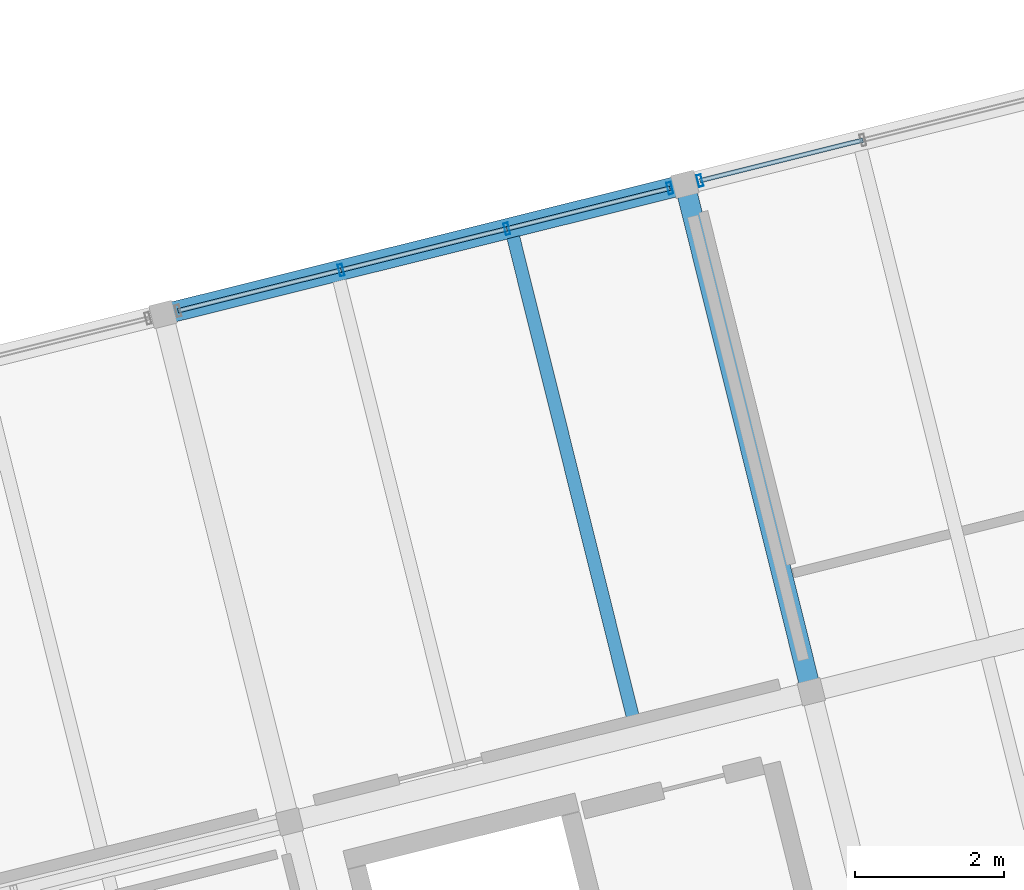
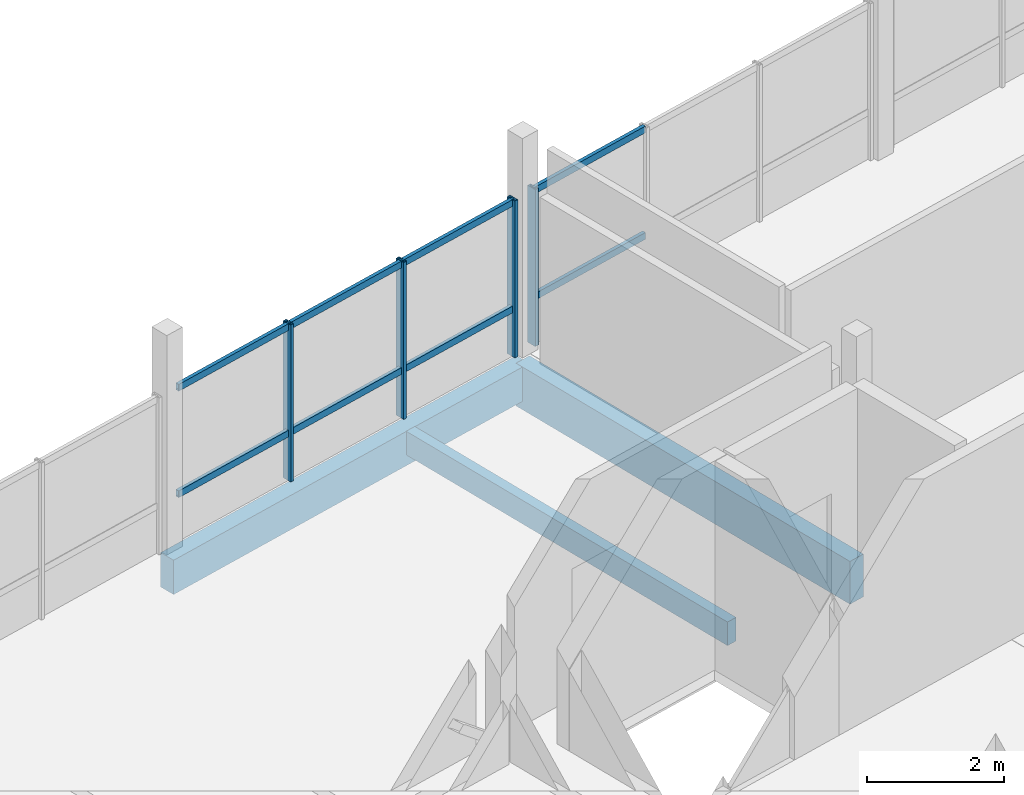
# One storey, part 12 of 25: 12 members, 3 beams, 2 elements without a shape of their own.
"""IFC4 building model written with IfcOpenShell, lengths in metres."""

from ifc_helpers import new_model, si_unit, direction, frame, origin, origin_2d, place, context, subcontext, project, spatial, rectangle, hollow_rectangle, extrude, material, layer, layer_set, material_profile, profile_set, type_object, element, aggregate, save


model = new_model("IFC4")

# Units and contexts
model_context = context("Model", 3, precision=1e-05, world=origin(), true_north=direction((0.0, 1.0)))
body_context = subcontext(model_context, "Body", "Model", "MODEL_VIEW")
ifc_project = project(units=[si_unit("LENGTHUNIT", "METRE"), si_unit("AREAUNIT", "SQUARE_METRE"), si_unit("VOLUMEUNIT", "CUBIC_METRE"), si_unit("PLANEANGLEUNIT", "RADIAN"), si_unit("MASSUNIT", "GRAM", prefix="KILO")], contexts=[model_context])

# Site, building, storey
site_placement = place(None, origin())
site = spatial("IfcSite", under=ifc_project, at=site_placement, CompositionType="ELEMENT")
building_placement = place(site_placement, origin())
building = spatial("IfcBuilding", under=site, at=building_placement, Name="Meriwether Solvik Hall", CompositionType="ELEMENT")
storey_placement = place(building_placement, frame((0.0, 0.0, 49.5)))
storey = spatial("IfcBuildingStorey", under=building, at=storey_placement, Name="L12", CompositionType="ELEMENT", Elevation=49.5)

# Beams
ifc_material_1 = material(Name="Glulam Douglas-Fir 24F-V8 GL28h", Category="wood")
ifc_material_profile_1 = material_profile(ifc_material_1, rectangle(XDim=0.27294921875, YDim=0.610107421875, at=origin_2d()), Name="GLB-273X610")
ifc_profile_set_1 = profile_set([ifc_material_profile_1], Name="Glulam Douglas-Fir 24F-V8 GL28h")
beam_type_1 = type_object("IfcBeamType", Name="BM-GL-273X610", PredefinedType="SPANDREL", material=ifc_profile_set_1)
beam_1_placement = place(storey_placement, frame((69.200439453125, 70.206787109375, -0.485107421875), z_axis=(0.970291911955, 0.241937193493, 0.0), x_axis=(-0.241937193493, 0.970291911955, 0.0)))
element("IfcBeam", 1, at=beam_1_placement, inside=storey, type_object=beam_type_1, Name="Tower Girder TE:T2-T3 (L12)", PredefinedType="SPANDREL", context=body_context, shape_type="SweptSolid", body=[
    extrude(rectangle(XDim=0.27294921875, YDim=0.610107421875, at=origin_2d()), origin(), (0.0, 0.0, 1.0), 7.199951171875),
])
ifc_material_2 = material(Name="Glulam Douglas-Fir 24F-V8 GL28h", Category="wood")
ifc_material_profile_2 = material_profile(ifc_material_2, rectangle(XDim=0.27294921875, YDim=0.760009765625, at=origin_2d()), Name="GLB-273X760")
ifc_profile_set_2 = profile_set([ifc_material_profile_2], Name="Glulam Douglas-Fir 24F-V8 GL28h")
beam_type_2 = type_object("IfcBeamType", Name="BM-GL-273X760", PredefinedType="BEAM", material=ifc_profile_set_2)
beam_2_placement = place(storey_placement, frame((77.880126953125, 65.15673828125, -0.56005859375), z_axis=(-0.241944715397, 0.970290036376, 0.0), x_axis=(-0.970290036376, -0.241944715397, 0.0)))
element("IfcBeam", 2, at=beam_2_placement, inside=storey, type_object=beam_type_2, Name="Tower Girder T3:TD-TE (L12)", PredefinedType="BEAM", context=body_context, shape_type="SweptSolid", body=[
    extrude(rectangle(XDim=0.27294921875, YDim=0.760009765625, at=origin_2d()), origin(), (0.0, 0.0, 1.0), 7.0),
])

# Curtain wall, members
ifc_material_3 = material(Name="Thermally Broken Anodised Aluminium 6063-T6 and Low-E Glass", Category="aluminium")
ifc_layer_1 = layer(ifc_material_3, 0.179931640625)
ifc_layer_set_1 = layer_set([ifc_layer_1], Name="Thermally Broken Anodised Aluminium 6063-T6 and Low-E Glass")
curtain_wall_type_1 = type_object("IfcCurtainWallType", Name="CW-UNIT-F", PredefinedType="USERDEFINED", material=ifc_layer_set_1)
curtain_wall_1_placement = place(storey_placement, origin())
curtain_wall_1 = element("IfcCurtainWall", 3, at=curtain_wall_1_placement, inside=storey, type_object=curtain_wall_type_1, Name="Curtain Wall E2_B1 (L12)", ObjectType="UNITISED CURTAIN WALL", PredefinedType="USERDEFINED")
ifc_material_4 = material(Name="Anodised Aluminium 6063-T6", Category="aluminium")
ifc_material_profile_3 = material_profile(ifc_material_4, hollow_rectangle(XDim=0.06005859375, YDim=0.159912109375, WallThickness=0.00390625, at=origin_2d()), Name="CWM-60X160")
ifc_profile_set_3 = profile_set([ifc_material_profile_3], Name="Anodised Aluminium 6063-T6")
member_type_1 = type_object("IfcMemberType", Name="CW-MUL-60X160", PredefinedType="MULLION", material=ifc_profile_set_3)
member_1_placement = place(storey_placement, frame((71.583984375, 70.80126953125, 0.0), z_axis=(0.0, 0.0, 1.0), x_axis=(0.970295730764, 0.241921877598, 0.0)))
member_1 = element("IfcMember", 4, at=member_1_placement, type_object=member_type_1, Name="Curtain Wall Mullion 2", PredefinedType="MULLION", context=body_context, shape_type="SweptSolid", body=[
    extrude(hollow_rectangle(XDim=0.06005859375, YDim=0.159912109375, WallThickness=0.00390625, at=origin_2d()), origin(), (0.0, 0.0, 1.0), 2.7900390625),
])
member_2_placement = place(storey_placement, frame((73.802978515625, 71.3544921875, 0.0), z_axis=(0.0, 0.0, 1.0), x_axis=(0.970295730764, 0.241921877598, 0.0)))
member_2 = element("IfcMember", 5, at=member_2_placement, type_object=member_type_1, Name="Curtain Wall Mullion 3", PredefinedType="MULLION", context=body_context, shape_type="SweptSolid", body=[
    extrude(hollow_rectangle(XDim=0.06005859375, YDim=0.159912109375, WallThickness=0.00390625, at=origin_2d()), origin(), (0.0, 0.0, 1.0), 2.7900390625),
])
member_3_placement = place(storey_placement, frame((75.9853515625, 71.8984375, 0.0), z_axis=(0.0, 0.0, 1.0), x_axis=(0.970295730764, 0.241921877598, 0.0)))
member_3 = element("IfcMember", 6, at=member_3_placement, type_object=member_type_1, Name="Curtain Wall Mullion 4", PredefinedType="MULLION", context=body_context, shape_type="SweptSolid", body=[
    extrude(hollow_rectangle(XDim=0.06005859375, YDim=0.159912109375, WallThickness=0.00390625, at=origin_2d()), origin(), (0.0, 0.0, 1.0), 2.7900390625),
])

# Curtain wall, member
ifc_material_5 = material(Name="Thermally Broken Anodised Aluminium 6063-T6 and Low-E Glass", Category="aluminium")
ifc_layer_2 = layer(ifc_material_5, 0.179931640625)
ifc_layer_set_2 = layer_set([ifc_layer_2], Name="Thermally Broken Anodised Aluminium 6063-T6 and Low-E Glass")
curtain_wall_type_2 = type_object("IfcCurtainWallType", Name="CW-UNIT-G", PredefinedType="USERDEFINED", material=ifc_layer_set_2)
curtain_wall_2_placement = place(storey_placement, origin())
curtain_wall_2 = element("IfcCurtainWall", 7, at=curtain_wall_2_placement, inside=storey, type_object=curtain_wall_type_2, Name="Curtain Wall E2_B2 (L12)", ObjectType="UNITISED CURTAIN WALL", PredefinedType="USERDEFINED")
member_4_placement = place(storey_placement, frame((76.387939453125, 71.9990234375, 0.0), z_axis=(0.0, 0.0, 1.0), x_axis=(0.970295730764, 0.241921877598, 0.0)))
member_4 = element("IfcMember", 8, at=member_4_placement, type_object=member_type_1, Name="Curtain Wall Mullion 1", PredefinedType="MULLION", context=body_context, shape_type="SweptSolid", body=[
    extrude(hollow_rectangle(XDim=0.06005859375, YDim=0.159912109375, WallThickness=0.00390625, at=origin_2d()), origin(), (0.0, 0.0, 1.0), 2.7900390625),
])

# Member
ifc_material_6 = material(Name="Anodised Aluminium 6063-T6", Category="aluminium")
ifc_material_profile_4 = material_profile(ifc_material_6, hollow_rectangle(XDim=0.06005859375, YDim=0.1201171875, WallThickness=0.00390625, at=origin_2d()), Name="CWT-60X120")
ifc_profile_set_4 = profile_set([ifc_material_profile_4], Name="Anodised Aluminium 6063-T6")
member_type_2 = type_object("IfcMemberType", Name="CW-TRN-60X120", PredefinedType="USERDEFINED", material=ifc_profile_set_4)
member_5_placement = place(storey_placement, frame((69.40185546875, 70.257080078125, 0.8369140625), z_axis=(0.970282822978, 0.241973642025, 0.0), x_axis=(-0.241973642025, 0.970282822978, 0.0)))
member_5 = element("IfcMember", 9, at=member_5_placement, type_object=member_type_2, Name="Curtain Wall Transom 1-sill", ObjectType="TRANSOM", PredefinedType="USERDEFINED", context=body_context, shape_type="SweptSolid", body=[
    extrude(hollow_rectangle(XDim=0.06005859375, YDim=0.1201171875, WallThickness=0.00390625, at=origin_2d()), origin(), (0.0, 0.0, 1.0), 2.2490234375),
])

member_6_placement = place(storey_placement, frame((69.40185546875, 70.257080078125, 2.72998046875), z_axis=(0.970282822978, 0.241973642025, 0.0), x_axis=(-0.241973642025, 0.970282822978, 0.0)))
member_6 = element("IfcMember", 10, at=member_6_placement, type_object=member_type_2, Name="Curtain Wall Transom 1-head", ObjectType="TRANSOM", PredefinedType="USERDEFINED", context=body_context, shape_type="SweptSolid", body=[
    extrude(hollow_rectangle(XDim=0.06005859375, YDim=0.1201171875, WallThickness=0.00390625, at=origin_2d()), origin(), (0.0, 0.0, 1.0), 2.2490234375),
])

member_7_placement = place(storey_placement, frame((71.583984375, 70.80126953125, 0.8369140625), z_axis=(0.97029929005, 0.241907601634, 0.0), x_axis=(-0.241907601634, 0.97029929005, 0.0)))
member_7 = element("IfcMember", 11, at=member_7_placement, type_object=member_type_2, Name="Curtain Wall Transom 2-sill", ObjectType="TRANSOM", PredefinedType="USERDEFINED", context=body_context, shape_type="SweptSolid", body=[
    extrude(hollow_rectangle(XDim=0.06005859375, YDim=0.1201171875, WallThickness=0.00390625, at=origin_2d()), origin(), (0.0, 0.0, 1.0), 2.286865234375),
])

member_8_placement = place(storey_placement, frame((71.583984375, 70.80126953125, 2.72998046875), z_axis=(0.97029929005, 0.241907601634, 0.0), x_axis=(-0.241907601634, 0.97029929005, 0.0)))
member_8 = element("IfcMember", 12, at=member_8_placement, type_object=member_type_2, Name="Curtain Wall Transom 2-head", ObjectType="TRANSOM", PredefinedType="USERDEFINED", context=body_context, shape_type="SweptSolid", body=[
    extrude(hollow_rectangle(XDim=0.06005859375, YDim=0.1201171875, WallThickness=0.00390625, at=origin_2d()), origin(), (0.0, 0.0, 1.0), 2.286865234375),
])

member_9_placement = place(storey_placement, frame((73.802978515625, 71.3544921875, 0.8369140625), z_axis=(0.970314655542, 0.241845961802, 0.0), x_axis=(-0.241845961802, 0.970314655542, 0.0)))
member_9 = element("IfcMember", 13, at=member_9_placement, type_object=member_type_2, Name="Curtain Wall Transom 3-sill", ObjectType="TRANSOM", PredefinedType="USERDEFINED", context=body_context, shape_type="SweptSolid", body=[
    extrude(hollow_rectangle(XDim=0.06005859375, YDim=0.1201171875, WallThickness=0.00390625, at=origin_2d()), origin(), (0.0, 0.0, 1.0), 2.2490234375),
])

member_10_placement = place(storey_placement, frame((73.802978515625, 71.3544921875, 2.72998046875), z_axis=(0.970314655542, 0.241845961802, 0.0), x_axis=(-0.241845961802, 0.970314655542, 0.0)))
member_10 = element("IfcMember", 14, at=member_10_placement, type_object=member_type_2, Name="Curtain Wall Transom 3-head", ObjectType="TRANSOM", PredefinedType="USERDEFINED", context=body_context, shape_type="SweptSolid", body=[
    extrude(hollow_rectangle(XDim=0.06005859375, YDim=0.1201171875, WallThickness=0.00390625, at=origin_2d()), origin(), (0.0, 0.0, 1.0), 2.2490234375),
])

aggregate(curtain_wall_1, [member_1, member_2, member_3, member_5, member_6, member_7, member_8, member_9, member_10])

member_11_placement = place(storey_placement, frame((76.387939453125, 71.9990234375, 0.8369140625), z_axis=(0.970308305597, 0.241871437108, 0.0), x_axis=(-0.241871437108, 0.970308305597, 0.0)))
member_11 = element("IfcMember", 15, at=member_11_placement, type_object=member_type_2, Name="Curtain Wall Transom 1-sill", ObjectType="TRANSOM", PredefinedType="USERDEFINED", context=body_context, shape_type="SweptSolid", body=[
    extrude(hollow_rectangle(XDim=0.06005859375, YDim=0.1201171875, WallThickness=0.00390625, at=origin_2d()), origin(), (0.0, 0.0, 1.0), 2.2490234375),
])

member_12_placement = place(storey_placement, frame((76.387939453125, 71.9990234375, 2.72998046875), z_axis=(0.970308305597, 0.241871437108, 0.0), x_axis=(-0.241871437108, 0.970308305597, 0.0)))
member_12 = element("IfcMember", 16, at=member_12_placement, type_object=member_type_2, Name="Curtain Wall Transom 1-head", ObjectType="TRANSOM", PredefinedType="USERDEFINED", context=body_context, shape_type="SweptSolid", body=[
    extrude(hollow_rectangle(XDim=0.06005859375, YDim=0.1201171875, WallThickness=0.00390625, at=origin_2d()), origin(), (0.0, 0.0, 1.0), 2.2490234375),
])

aggregate(curtain_wall_2, [member_4, member_11, member_12])

# Beam
ifc_material_7 = material(Name="Glulam Douglas-Fir 24F-V8 GL28h", Category="wood")
ifc_material_profile_5 = material_profile(ifc_material_7, rectangle(XDim=0.175048828125, YDim=0.419921875, at=origin_2d()), Name="GLJ-175X420")
ifc_profile_set_5 = profile_set([ifc_material_profile_5], Name="Glulam Douglas-Fir 24F-V8 GL28h")
beam_type_3 = type_object("IfcBeamType", Name="JST-GL-175X420", PredefinedType="JOIST", material=ifc_profile_set_5)
beam_3_placement = place(storey_placement, frame((75.51953125, 64.70361328125, -0.389892578125), z_axis=(-0.241930176813, 0.9702936615, 0.0), x_axis=(-0.9702936615, -0.241930176813, 0.0)))
element("IfcBeam", 17, at=beam_3_placement, inside=storey, type_object=beam_type_3, Name="Glulam Floor Joist T2/TD-J2 (L12)", PredefinedType="JOIST", context=body_context, shape_type="SweptSolid", body=[
    extrude(rectangle(XDim=0.175048828125, YDim=0.419921875, at=origin_2d()), origin(), (0.0, 0.0, 1.0), 6.737060546875),
])

save(model, "model.ifc")
